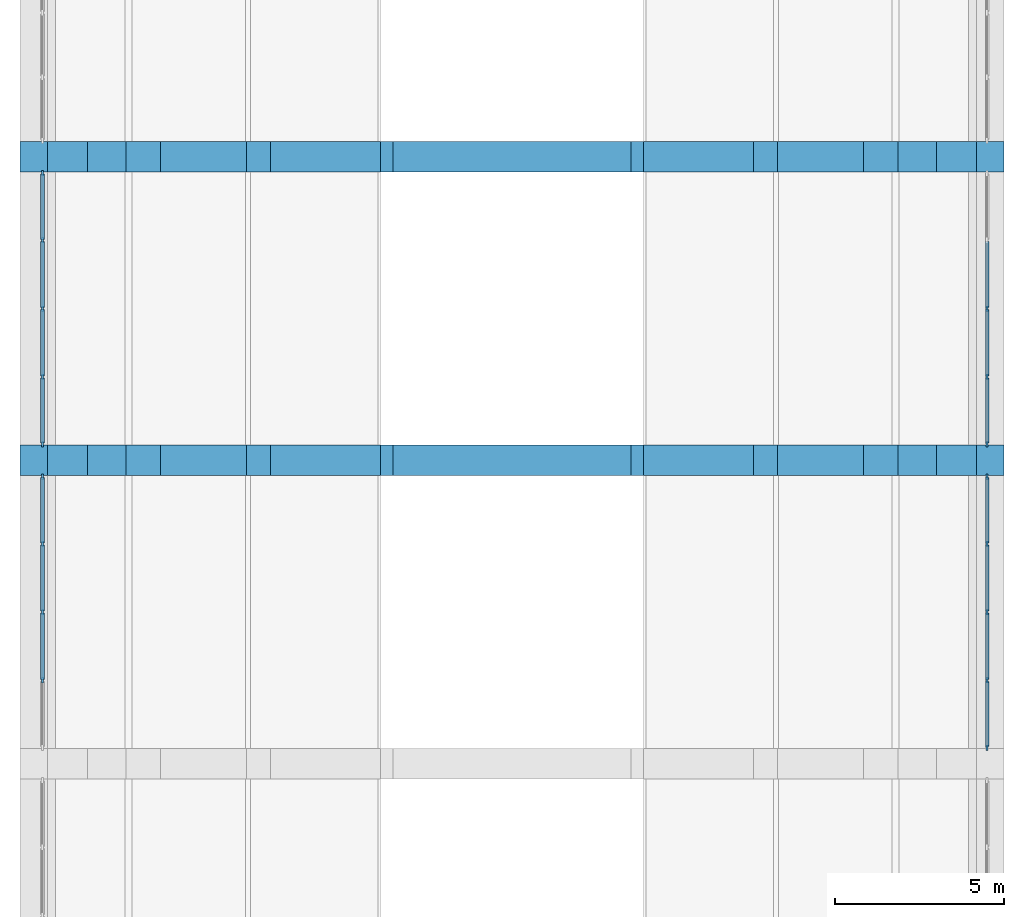
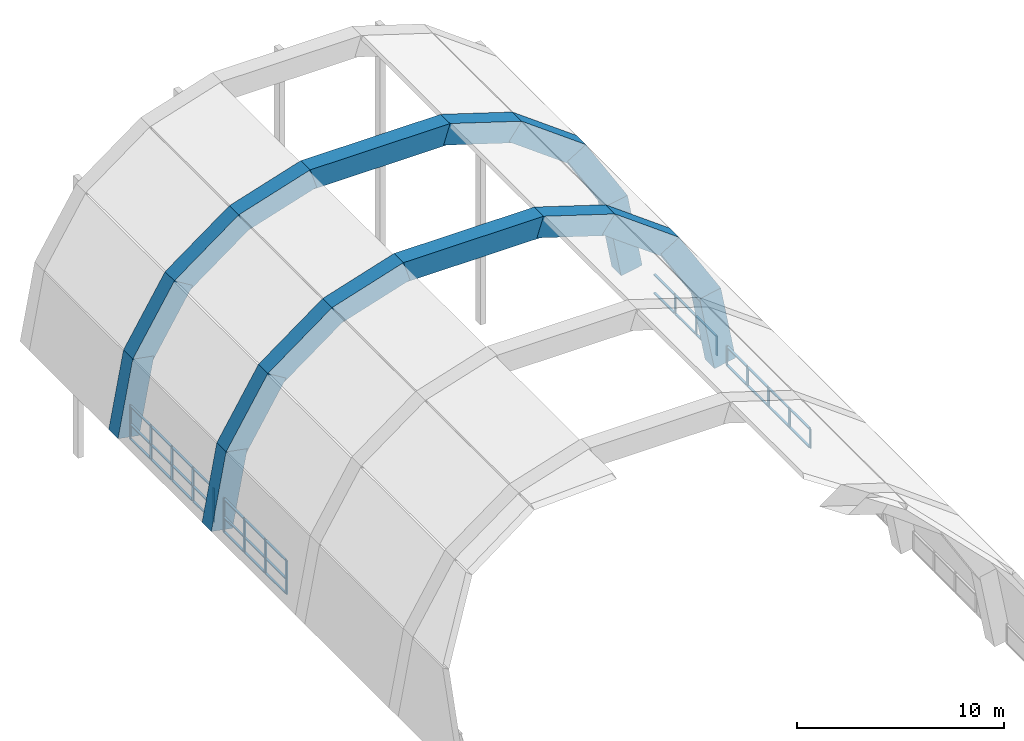
# One storey, part 4 of 8: 52 members, 18 beams, 4 elements without a shape of their own.
"""IFC4 building model written with IfcOpenShell, lengths in metres."""

from ifc_helpers import new_model, si_unit, direction, frame, origin, origin_2d, place, context, subcontext, project, spatial, rectangle, extrude, material, material_profile, profile_set, type_object, element, aggregate, save


model = new_model("IFC4")

# Units and contexts
model_context = context("Model", 3, precision=1e-05, world=origin(), true_north=direction((0.0, 1.0)))
body_context = subcontext(model_context, "Body", "Model", "MODEL_VIEW")
ifc_project = project(units=[si_unit("LENGTHUNIT", "METRE"), si_unit("AREAUNIT", "SQUARE_METRE"), si_unit("VOLUMEUNIT", "CUBIC_METRE"), si_unit("PLANEANGLEUNIT", "RADIAN"), si_unit("MASSUNIT", "GRAM", prefix="KILO")], contexts=[model_context])

# Site, building, storey
site_placement = place(None, origin())
site = spatial("IfcSite", under=ifc_project, at=site_placement, CompositionType="ELEMENT")
building_placement = place(site_placement, origin())
building = spatial("IfcBuilding", under=site, at=building_placement, Name="Elmora Arch Market Hall", CompositionType="ELEMENT")
storey_placement = place(building_placement, frame((0.0, 0.0, 18.60009765625)))
storey = spatial("IfcBuildingStorey", under=building, at=storey_placement, Name="Roof", CompositionType="ELEMENT", Elevation=18.60009765625)

# Beams
ifc_material_1 = material(Name="Concrete C40/50", Category="concrete")
ifc_material_profile_1 = material_profile(ifc_material_1, rectangle(XDim=0.89990234375, YDim=1.199951171875, at=origin_2d()), Name="Arch rib")
ifc_profile_set_1 = profile_set([ifc_material_profile_1], Name="Concrete C40/50")
beam_type = type_object("IfcBeamType", Name="Arch rib", PredefinedType="BEAM", material=ifc_profile_set_1)
beam_1_placement = place(storey_placement, frame((15.0, 81.0, 0.10986328125), z_axis=(0.18332979563, 0.0, 0.983051466625), x_axis=(0.0, 1.0, 0.0)))
element("IfcBeam", 1, at=beam_1_placement, inside=storey, type_object=beam_type, Name="Arch rib 07 segment 1", PredefinedType="BEAM", context=body_context, shape_type="SweptSolid", body=[
    extrude(rectangle(XDim=0.89990234375, YDim=1.199951171875, at=origin_2d()), origin(), (0.0, 0.0, 1.0), 4.474609375),
])
beam_2_placement = place(storey_placement, frame((15.742431640625, 81.0, 4.3056640625), z_axis=(0.52144556852, 0.0, 0.85328454754), x_axis=(0.0, 1.0, 0.0)))
element("IfcBeam", 2, at=beam_2_placement, inside=storey, type_object=beam_type, Name="Arch rib 07 segment 2", PredefinedType="BEAM", context=body_context, shape_type="SweptSolid", body=[
    extrude(rectangle(XDim=0.89990234375, YDim=1.199951171875, at=origin_2d()), origin(), (0.0, 0.0, 1.0), 4.447509765625),
])
beam_3_placement = place(storey_placement, frame((17.905029296875, 81.0, 7.929931640625), z_axis=(0.805622437168, 0.0, 0.592429311168), x_axis=(0.0, 1.0, 0.0)))
element("IfcBeam", 3, at=beam_3_placement, inside=storey, type_object=beam_type, Name="Arch rib 07 segment 3", PredefinedType="BEAM", context=body_context, shape_type="SweptSolid", body=[
    extrude(rectangle(XDim=0.89990234375, YDim=1.199951171875, at=origin_2d()), origin(), (0.0, 0.0, 1.0), 4.4375),
])
beam_4_placement = place(storey_placement, frame((21.30517578125, 81.0, 10.469970703125), z_axis=(0.953579131472, 0.0, 0.30114255764), x_axis=(0.0, 1.0, 0.0)))
element("IfcBeam", 4, at=beam_4_placement, inside=storey, type_object=beam_type, Name="Arch rib 07 segment 4", PredefinedType="BEAM", context=body_context, shape_type="SweptSolid", body=[
    extrude(rectangle(XDim=0.89990234375, YDim=1.199951171875, at=origin_2d()), origin(), (0.0, 0.0, 1.0), 4.1767578125),
])
beam_5_placement = place(storey_placement, frame((25.107421875, 81.0, 11.699951171875), z_axis=(1.0, 0.0, 0.0), x_axis=(0.0, 1.0, 0.0)))
element("IfcBeam", 5, at=beam_5_placement, inside=storey, type_object=beam_type, Name="Arch rib 07 segment 5", PredefinedType="BEAM", context=body_context, shape_type="SweptSolid", body=[
    extrude(rectangle(XDim=0.89990234375, YDim=1.199951171875, at=origin_2d()), origin(), (0.0, 0.0, 1.0), 7.78515625),
])
beam_6_placement = place(storey_placement, frame((32.7119140625, 81.0, 11.727783203125), z_axis=(0.953579131472, 0.0, -0.30114255764), x_axis=(0.0, 1.0, 0.0)))
element("IfcBeam", 6, at=beam_6_placement, inside=storey, type_object=beam_type, Name="Arch rib 07 segment 6", PredefinedType="BEAM", context=body_context, shape_type="SweptSolid", body=[
    extrude(rectangle(XDim=0.89990234375, YDim=1.199951171875, at=origin_2d()), origin(), (0.0, 0.0, 1.0), 4.1767578125),
])
beam_7_placement = place(storey_placement, frame((36.52001953125, 81.0, 10.558837890625), z_axis=(0.805622437168, 0.0, -0.592429311168), x_axis=(0.0, 1.0, 0.0)))
element("IfcBeam", 7, at=beam_7_placement, inside=storey, type_object=beam_type, Name="Arch rib 07 segment 7", PredefinedType="BEAM", context=body_context, shape_type="SweptSolid", body=[
    extrude(rectangle(XDim=0.89990234375, YDim=1.199951171875, at=origin_2d()), origin(), (0.0, 0.0, 1.0), 4.4375),
])
beam_8_placement = place(storey_placement, frame((39.9384765625, 81.0, 8.1005859375), z_axis=(0.52144556852, 0.0, -0.85328454754), x_axis=(0.0, 1.0, 0.0)))
element("IfcBeam", 8, at=beam_8_placement, inside=storey, type_object=beam_type, Name="Arch rib 07 segment 8", PredefinedType="BEAM", context=body_context, shape_type="SweptSolid", body=[
    extrude(rectangle(XDim=0.89990234375, YDim=1.199951171875, at=origin_2d()), origin(), (0.0, 0.0, 1.0), 4.447509765625),
])
for number, where, z_axis, x_axis, name in (
    (9, (42.1796875, 81.0, 4.508544921875), (0.18332979563, 0.0, -0.983051466625), (0.0, 1.0, 0.0), "Arch rib 07 segment 9"),
    (10, (15.0, 90.0, 0.10986328125), (0.18332979563, 0.0, 0.983051466625), (0.0, 1.0, 0.0), "Arch rib 08 segment 1"),
):
    element("IfcBeam", number, at=place(storey_placement, frame(where, z_axis=z_axis, x_axis=x_axis)), inside=storey, type_object=beam_type, Name=name, PredefinedType="BEAM", context=body_context, shape_type="SweptSolid", body=[
        extrude(rectangle(XDim=0.89990234375, YDim=1.199951171875, at=origin_2d()), origin(), (0.0, 0.0, 1.0), 4.474609375),
    ])
beam_9_placement = place(storey_placement, frame((15.742431640625, 90.0, 4.3056640625), z_axis=(0.52144556852, 0.0, 0.85328454754), x_axis=(0.0, 1.0, 0.0)))
element("IfcBeam", 11, at=beam_9_placement, inside=storey, type_object=beam_type, Name="Arch rib 08 segment 2", PredefinedType="BEAM", context=body_context, shape_type="SweptSolid", body=[
    extrude(rectangle(XDim=0.89990234375, YDim=1.199951171875, at=origin_2d()), origin(), (0.0, 0.0, 1.0), 4.447509765625),
])
beam_10_placement = place(storey_placement, frame((17.905029296875, 90.0, 7.929931640625), z_axis=(0.805622437168, 0.0, 0.592429311168), x_axis=(0.0, 1.0, 0.0)))
element("IfcBeam", 12, at=beam_10_placement, inside=storey, type_object=beam_type, Name="Arch rib 08 segment 3", PredefinedType="BEAM", context=body_context, shape_type="SweptSolid", body=[
    extrude(rectangle(XDim=0.89990234375, YDim=1.199951171875, at=origin_2d()), origin(), (0.0, 0.0, 1.0), 4.4375),
])
beam_11_placement = place(storey_placement, frame((21.30517578125, 90.0, 10.469970703125), z_axis=(0.953579131472, 0.0, 0.30114255764), x_axis=(0.0, 1.0, 0.0)))
element("IfcBeam", 13, at=beam_11_placement, inside=storey, type_object=beam_type, Name="Arch rib 08 segment 4", PredefinedType="BEAM", context=body_context, shape_type="SweptSolid", body=[
    extrude(rectangle(XDim=0.89990234375, YDim=1.199951171875, at=origin_2d()), origin(), (0.0, 0.0, 1.0), 4.1767578125),
])
beam_12_placement = place(storey_placement, frame((25.107421875, 90.0, 11.699951171875), z_axis=(1.0, 0.0, 0.0), x_axis=(0.0, 1.0, 0.0)))
element("IfcBeam", 14, at=beam_12_placement, inside=storey, type_object=beam_type, Name="Arch rib 08 segment 5", PredefinedType="BEAM", context=body_context, shape_type="SweptSolid", body=[
    extrude(rectangle(XDim=0.89990234375, YDim=1.199951171875, at=origin_2d()), origin(), (0.0, 0.0, 1.0), 7.78515625),
])
beam_13_placement = place(storey_placement, frame((32.7119140625, 90.0, 11.727783203125), z_axis=(0.953579131472, 0.0, -0.30114255764), x_axis=(0.0, 1.0, 0.0)))
element("IfcBeam", 15, at=beam_13_placement, inside=storey, type_object=beam_type, Name="Arch rib 08 segment 6", PredefinedType="BEAM", context=body_context, shape_type="SweptSolid", body=[
    extrude(rectangle(XDim=0.89990234375, YDim=1.199951171875, at=origin_2d()), origin(), (0.0, 0.0, 1.0), 4.1767578125),
])
beam_14_placement = place(storey_placement, frame((36.52001953125, 90.0, 10.558837890625), z_axis=(0.805622437168, 0.0, -0.592429311168), x_axis=(0.0, 1.0, 0.0)))
element("IfcBeam", 16, at=beam_14_placement, inside=storey, type_object=beam_type, Name="Arch rib 08 segment 7", PredefinedType="BEAM", context=body_context, shape_type="SweptSolid", body=[
    extrude(rectangle(XDim=0.89990234375, YDim=1.199951171875, at=origin_2d()), origin(), (0.0, 0.0, 1.0), 4.4375),
])
beam_15_placement = place(storey_placement, frame((39.9384765625, 90.0, 8.1005859375), z_axis=(0.52144556852, 0.0, -0.85328454754), x_axis=(0.0, 1.0, 0.0)))
element("IfcBeam", 17, at=beam_15_placement, inside=storey, type_object=beam_type, Name="Arch rib 08 segment 8", PredefinedType="BEAM", context=body_context, shape_type="SweptSolid", body=[
    extrude(rectangle(XDim=0.89990234375, YDim=1.199951171875, at=origin_2d()), origin(), (0.0, 0.0, 1.0), 4.447509765625),
])
beam_16_placement = place(storey_placement, frame((42.1796875, 90.0, 4.508544921875), z_axis=(0.18332979563, 0.0, -0.983051466625), x_axis=(0.0, 1.0, 0.0)))
element("IfcBeam", 18, at=beam_16_placement, inside=storey, type_object=beam_type, Name="Arch rib 08 segment 9", PredefinedType="BEAM", context=body_context, shape_type="SweptSolid", body=[
    extrude(rectangle(XDim=0.89990234375, YDim=1.199951171875, at=origin_2d()), origin(), (0.0, 0.0, 1.0), 4.474609375),
])

# Curtain wall, members
ifc_material_2 = material(Name="Aluminium", Category="aluminium")
curtain_wall_type = type_object("IfcCurtainWallType", Name="Clerestory curtain wall", PredefinedType="NOTDEFINED", material=ifc_material_2)
curtain_wall_1_placement = place(storey_placement, origin())
curtain_wall_1 = element("IfcCurtainWall", 19, at=curtain_wall_1_placement, inside=storey, type_object=curtain_wall_type, Name="Hall clerestory W 6", PredefinedType="NOTDEFINED")
ifc_material_3 = material(Name="Aluminium", Category="aluminium")
ifc_material_profile_2 = material_profile(ifc_material_3, rectangle(XDim=0.06005859375, YDim=0.159912109375, at=origin_2d()), Name="AL 60x160")
ifc_profile_set_2 = profile_set([ifc_material_profile_2], Name="Aluminium")
member_type_1 = type_object("IfcMemberType", Name="Mullion 60x160", PredefinedType="MULLION", material=ifc_profile_set_2)
member_1_placement = place(storey_placement, frame((15.080078125, 74.47509765625, 0.0), z_axis=(0.0, 0.0, 1.0), x_axis=(-1.0, 0.0, 0.0)))
member_1 = element("IfcMember", 20, at=member_1_placement, type_object=member_type_1, Name="CW4 mullion 2", PredefinedType="MULLION", context=body_context, shape_type="SweptSolid", body=[
    extrude(rectangle(XDim=0.06005859375, YDim=0.159912109375, at=origin_2d()), origin(), (0.0, 0.0, 1.0), 1.9990234375),
])
member_2_placement = place(storey_placement, frame((15.080078125, 76.5, 0.0), z_axis=(0.0, 0.0, 1.0), x_axis=(-1.0, 0.0, 0.0)))
member_2 = element("IfcMember", 21, at=member_2_placement, type_object=member_type_1, Name="CW4 mullion 3", PredefinedType="MULLION", context=body_context, shape_type="SweptSolid", body=[
    extrude(rectangle(XDim=0.06005859375, YDim=0.159912109375, at=origin_2d()), origin(), (0.0, 0.0, 1.0), 1.9990234375),
])
member_3_placement = place(storey_placement, frame((15.080078125, 78.52490234375, 0.0), z_axis=(0.0, 0.0, 1.0), x_axis=(-1.0, 0.0, 0.0)))
member_3 = element("IfcMember", 22, at=member_3_placement, type_object=member_type_1, Name="CW4 mullion 4", PredefinedType="MULLION", context=body_context, shape_type="SweptSolid", body=[
    extrude(rectangle(XDim=0.06005859375, YDim=0.159912109375, at=origin_2d()), origin(), (0.0, 0.0, 1.0), 1.9990234375),
])
member_4_placement = place(storey_placement, frame((15.080078125, 80.52001953125, 0.0), z_axis=(0.0, 0.0, 1.0), x_axis=(-1.0, 0.0, 0.0)))
member_4 = element("IfcMember", 23, at=member_4_placement, type_object=member_type_1, Name="CW4 mullion 5", PredefinedType="MULLION", context=body_context, shape_type="SweptSolid", body=[
    extrude(rectangle(XDim=0.06005859375, YDim=0.159912109375, at=origin_2d()), origin(), (0.0, 0.0, 1.0), 1.9990234375),
])

curtain_wall_2_placement = place(storey_placement, origin())
curtain_wall_2 = element("IfcCurtainWall", 24, at=curtain_wall_2_placement, inside=storey, type_object=curtain_wall_type, Name="Hall clerestory W 7", PredefinedType="NOTDEFINED")
member_5_placement = place(storey_placement, frame((15.080078125, 81.47998046875, 0.0), z_axis=(0.0, 0.0, 1.0), x_axis=(-1.0, 0.0, 0.0)))
member_5 = element("IfcMember", 25, at=member_5_placement, type_object=member_type_1, Name="CW4 mullion 1", PredefinedType="MULLION", context=body_context, shape_type="SweptSolid", body=[
    extrude(rectangle(XDim=0.06005859375, YDim=0.159912109375, at=origin_2d()), origin(), (0.0, 0.0, 1.0), 1.9990234375),
])
member_6_placement = place(storey_placement, frame((15.080078125, 83.47509765625, 0.0), z_axis=(0.0, 0.0, 1.0), x_axis=(-1.0, 0.0, 0.0)))
member_6 = element("IfcMember", 26, at=member_6_placement, type_object=member_type_1, Name="CW4 mullion 2", PredefinedType="MULLION", context=body_context, shape_type="SweptSolid", body=[
    extrude(rectangle(XDim=0.06005859375, YDim=0.159912109375, at=origin_2d()), origin(), (0.0, 0.0, 1.0), 1.9990234375),
])
member_7_placement = place(storey_placement, frame((15.080078125, 85.5, 0.0), z_axis=(0.0, 0.0, 1.0), x_axis=(-1.0, 0.0, 0.0)))
member_7 = element("IfcMember", 27, at=member_7_placement, type_object=member_type_1, Name="CW4 mullion 3", PredefinedType="MULLION", context=body_context, shape_type="SweptSolid", body=[
    extrude(rectangle(XDim=0.06005859375, YDim=0.159912109375, at=origin_2d()), origin(), (0.0, 0.0, 1.0), 1.9990234375),
])
member_8_placement = place(storey_placement, frame((15.080078125, 87.52490234375, 0.0), z_axis=(0.0, 0.0, 1.0), x_axis=(-1.0, 0.0, 0.0)))
member_8 = element("IfcMember", 28, at=member_8_placement, type_object=member_type_1, Name="CW4 mullion 4", PredefinedType="MULLION", context=body_context, shape_type="SweptSolid", body=[
    extrude(rectangle(XDim=0.06005859375, YDim=0.159912109375, at=origin_2d()), origin(), (0.0, 0.0, 1.0), 1.9990234375),
])
member_9_placement = place(storey_placement, frame((15.080078125, 89.52001953125, 0.0), z_axis=(0.0, 0.0, 1.0), x_axis=(-1.0, 0.0, 0.0)))
member_9 = element("IfcMember", 29, at=member_9_placement, type_object=member_type_1, Name="CW4 mullion 5", PredefinedType="MULLION", context=body_context, shape_type="SweptSolid", body=[
    extrude(rectangle(XDim=0.06005859375, YDim=0.159912109375, at=origin_2d()), origin(), (0.0, 0.0, 1.0), 1.9990234375),
])

curtain_wall_3_placement = place(storey_placement, origin())
curtain_wall_3 = element("IfcCurtainWall", 30, at=curtain_wall_3_placement, inside=storey, type_object=curtain_wall_type, Name="Hall clerestory E 6", PredefinedType="NOTDEFINED")
member_10_placement = place(storey_placement, frame((43.080078125, 72.47998046875, 0.0), z_axis=(0.0, 0.0, 1.0), x_axis=(-1.0, 0.0, 0.0)))
member_10 = element("IfcMember", 31, at=member_10_placement, type_object=member_type_1, Name="CW4 mullion 1", PredefinedType="MULLION", context=body_context, shape_type="SweptSolid", body=[
    extrude(rectangle(XDim=0.06005859375, YDim=0.159912109375, at=origin_2d()), origin(), (0.0, 0.0, 1.0), 1.140869140625),
])
member_11_placement = place(storey_placement, frame((43.080078125, 74.47509765625, 0.0), z_axis=(0.0, 0.0, 1.0), x_axis=(-1.0, 0.0, 0.0)))
member_11 = element("IfcMember", 32, at=member_11_placement, type_object=member_type_1, Name="CW4 mullion 2", PredefinedType="MULLION", context=body_context, shape_type="SweptSolid", body=[
    extrude(rectangle(XDim=0.06005859375, YDim=0.159912109375, at=origin_2d()), origin(), (0.0, 0.0, 1.0), 1.140869140625),
])
member_12_placement = place(storey_placement, frame((43.080078125, 76.5, 0.0), z_axis=(0.0, 0.0, 1.0), x_axis=(-1.0, 0.0, 0.0)))
member_12 = element("IfcMember", 33, at=member_12_placement, type_object=member_type_1, Name="CW4 mullion 3", PredefinedType="MULLION", context=body_context, shape_type="SweptSolid", body=[
    extrude(rectangle(XDim=0.06005859375, YDim=0.159912109375, at=origin_2d()), origin(), (0.0, 0.0, 1.0), 1.140869140625),
])
member_13_placement = place(storey_placement, frame((43.080078125, 78.52490234375, 0.0), z_axis=(0.0, 0.0, 1.0), x_axis=(-1.0, 0.0, 0.0)))
member_13 = element("IfcMember", 34, at=member_13_placement, type_object=member_type_1, Name="CW4 mullion 4", PredefinedType="MULLION", context=body_context, shape_type="SweptSolid", body=[
    extrude(rectangle(XDim=0.06005859375, YDim=0.159912109375, at=origin_2d()), origin(), (0.0, 0.0, 1.0), 1.140869140625),
])
member_14_placement = place(storey_placement, frame((43.080078125, 80.52001953125, 0.0), z_axis=(0.0, 0.0, 1.0), x_axis=(-1.0, 0.0, 0.0)))
member_14 = element("IfcMember", 35, at=member_14_placement, type_object=member_type_1, Name="CW4 mullion 5", PredefinedType="MULLION", context=body_context, shape_type="SweptSolid", body=[
    extrude(rectangle(XDim=0.06005859375, YDim=0.159912109375, at=origin_2d()), origin(), (0.0, 0.0, 1.0), 1.140869140625),
])

curtain_wall_4_placement = place(storey_placement, origin())
curtain_wall_4 = element("IfcCurtainWall", 36, at=curtain_wall_4_placement, inside=storey, type_object=curtain_wall_type, Name="Hall clerestory E 7", PredefinedType="NOTDEFINED")
member_15_placement = place(storey_placement, frame((43.080078125, 81.47998046875, 0.0), z_axis=(0.0, 0.0, 1.0), x_axis=(-1.0, 0.0, 0.0)))
member_15 = element("IfcMember", 37, at=member_15_placement, type_object=member_type_1, Name="CW4 mullion 1", PredefinedType="MULLION", context=body_context, shape_type="SweptSolid", body=[
    extrude(rectangle(XDim=0.06005859375, YDim=0.159912109375, at=origin_2d()), origin(), (0.0, 0.0, 1.0), 1.140869140625),
])
member_16_placement = place(storey_placement, frame((43.080078125, 83.47509765625, 0.0), z_axis=(0.0, 0.0, 1.0), x_axis=(-1.0, 0.0, 0.0)))
member_16 = element("IfcMember", 38, at=member_16_placement, type_object=member_type_1, Name="CW4 mullion 2", PredefinedType="MULLION", context=body_context, shape_type="SweptSolid", body=[
    extrude(rectangle(XDim=0.06005859375, YDim=0.159912109375, at=origin_2d()), origin(), (0.0, 0.0, 1.0), 1.140869140625),
])
member_17_placement = place(storey_placement, frame((43.080078125, 85.5, 0.0), z_axis=(0.0, 0.0, 1.0), x_axis=(-1.0, 0.0, 0.0)))
member_17 = element("IfcMember", 39, at=member_17_placement, type_object=member_type_1, Name="CW4 mullion 3", PredefinedType="MULLION", context=body_context, shape_type="SweptSolid", body=[
    extrude(rectangle(XDim=0.06005859375, YDim=0.159912109375, at=origin_2d()), origin(), (0.0, 0.0, 1.0), 1.140869140625),
])

# Member
ifc_material_4 = material(Name="Aluminium", Category="aluminium")
ifc_material_profile_3 = material_profile(ifc_material_4, rectangle(XDim=0.1201171875, YDim=0.06005859375, at=origin_2d()), Name="AL 120x60")
ifc_profile_set_3 = profile_set([ifc_material_profile_3], Name="Aluminium")
member_type_2 = type_object("IfcMemberType", Name="Transom 120x60", PredefinedType="USERDEFINED", material=ifc_profile_set_3)
member_18_placement = place(storey_placement, frame((15.080078125, 74.5048828125, 0.02978515625), z_axis=(0.0, 1.0, 0.0), x_axis=(-1.0, 0.0, 0.0)))
member_18 = element("IfcMember", 40, at=member_18_placement, type_object=member_type_2, Name="CW4 transom 2.1", ObjectType="TRANSOM", PredefinedType="USERDEFINED", context=body_context, shape_type="SweptSolid", body=[
    extrude(rectangle(XDim=0.1201171875, YDim=0.06005859375, at=origin_2d()), origin(), (0.0, 0.0, 1.0), 1.965087890625),
])

member_19_placement = place(storey_placement, frame((15.080078125, 74.5048828125, 0.89990234375), z_axis=(0.0, 1.0, 0.0), x_axis=(-1.0, 0.0, 0.0)))
member_19 = element("IfcMember", 41, at=member_19_placement, type_object=member_type_2, Name="CW4 transom 2.2", ObjectType="TRANSOM", PredefinedType="USERDEFINED", context=body_context, shape_type="SweptSolid", body=[
    extrude(rectangle(XDim=0.1201171875, YDim=0.06005859375, at=origin_2d()), origin(), (0.0, 0.0, 1.0), 1.965087890625),
])

member_20_placement = place(storey_placement, frame((15.080078125, 74.5048828125, 1.968994140625), z_axis=(0.0, 1.0, 0.0), x_axis=(-1.0, 0.0, 0.0)))
member_20 = element("IfcMember", 42, at=member_20_placement, type_object=member_type_2, Name="CW4 transom 2.3", ObjectType="TRANSOM", PredefinedType="USERDEFINED", context=body_context, shape_type="SweptSolid", body=[
    extrude(rectangle(XDim=0.1201171875, YDim=0.06005859375, at=origin_2d()), origin(), (0.0, 0.0, 1.0), 1.965087890625),
])

member_21_placement = place(storey_placement, frame((15.080078125, 76.530029296875, 0.02978515625), z_axis=(0.0, 1.0, 0.0), x_axis=(-1.0, 0.0, 0.0)))
member_21 = element("IfcMember", 43, at=member_21_placement, type_object=member_type_2, Name="CW4 transom 3.1", ObjectType="TRANSOM", PredefinedType="USERDEFINED", context=body_context, shape_type="SweptSolid", body=[
    extrude(rectangle(XDim=0.1201171875, YDim=0.06005859375, at=origin_2d()), origin(), (0.0, 0.0, 1.0), 1.965087890625),
])

member_22_placement = place(storey_placement, frame((15.080078125, 76.530029296875, 0.89990234375), z_axis=(0.0, 1.0, 0.0), x_axis=(-1.0, 0.0, 0.0)))
member_22 = element("IfcMember", 44, at=member_22_placement, type_object=member_type_2, Name="CW4 transom 3.2", ObjectType="TRANSOM", PredefinedType="USERDEFINED", context=body_context, shape_type="SweptSolid", body=[
    extrude(rectangle(XDim=0.1201171875, YDim=0.06005859375, at=origin_2d()), origin(), (0.0, 0.0, 1.0), 1.965087890625),
])

member_23_placement = place(storey_placement, frame((15.080078125, 76.530029296875, 1.968994140625), z_axis=(0.0, 1.0, 0.0), x_axis=(-1.0, 0.0, 0.0)))
member_23 = element("IfcMember", 45, at=member_23_placement, type_object=member_type_2, Name="CW4 transom 3.3", ObjectType="TRANSOM", PredefinedType="USERDEFINED", context=body_context, shape_type="SweptSolid", body=[
    extrude(rectangle(XDim=0.1201171875, YDim=0.06005859375, at=origin_2d()), origin(), (0.0, 0.0, 1.0), 1.965087890625),
])

member_24_placement = place(storey_placement, frame((15.080078125, 78.554931640625, 0.02978515625), z_axis=(0.0, 1.0, 0.0), x_axis=(-1.0, 0.0, 0.0)))
member_24 = element("IfcMember", 46, at=member_24_placement, type_object=member_type_2, Name="CW4 transom 4.1", ObjectType="TRANSOM", PredefinedType="USERDEFINED", context=body_context, shape_type="SweptSolid", body=[
    extrude(rectangle(XDim=0.1201171875, YDim=0.06005859375, at=origin_2d()), origin(), (0.0, 0.0, 1.0), 1.93505859375),
])

member_25_placement = place(storey_placement, frame((15.080078125, 78.554931640625, 0.89990234375), z_axis=(0.0, 1.0, 0.0), x_axis=(-1.0, 0.0, 0.0)))
member_25 = element("IfcMember", 47, at=member_25_placement, type_object=member_type_2, Name="CW4 transom 4.2", ObjectType="TRANSOM", PredefinedType="USERDEFINED", context=body_context, shape_type="SweptSolid", body=[
    extrude(rectangle(XDim=0.1201171875, YDim=0.06005859375, at=origin_2d()), origin(), (0.0, 0.0, 1.0), 1.93505859375),
])

member_26_placement = place(storey_placement, frame((15.080078125, 78.554931640625, 1.968994140625), z_axis=(0.0, 1.0, 0.0), x_axis=(-1.0, 0.0, 0.0)))
member_26 = element("IfcMember", 48, at=member_26_placement, type_object=member_type_2, Name="CW4 transom 4.3", ObjectType="TRANSOM", PredefinedType="USERDEFINED", context=body_context, shape_type="SweptSolid", body=[
    extrude(rectangle(XDim=0.1201171875, YDim=0.06005859375, at=origin_2d()), origin(), (0.0, 0.0, 1.0), 1.93505859375),
])

aggregate(curtain_wall_1, [member_1, member_2, member_3, member_4, member_18, member_19, member_20, member_21, member_22, member_23, member_24, member_25, member_26])

member_27_placement = place(storey_placement, frame((15.080078125, 81.510009765625, 0.02978515625), z_axis=(0.0, 1.0, 0.0), x_axis=(-1.0, 0.0, 0.0)))
member_27 = element("IfcMember", 49, at=member_27_placement, type_object=member_type_2, Name="CW4 transom 1.1", ObjectType="TRANSOM", PredefinedType="USERDEFINED", context=body_context, shape_type="SweptSolid", body=[
    extrude(rectangle(XDim=0.1201171875, YDim=0.06005859375, at=origin_2d()), origin(), (0.0, 0.0, 1.0), 1.93505859375),
])

member_28_placement = place(storey_placement, frame((15.080078125, 81.510009765625, 0.89990234375), z_axis=(0.0, 1.0, 0.0), x_axis=(-1.0, 0.0, 0.0)))
member_28 = element("IfcMember", 50, at=member_28_placement, type_object=member_type_2, Name="CW4 transom 1.2", ObjectType="TRANSOM", PredefinedType="USERDEFINED", context=body_context, shape_type="SweptSolid", body=[
    extrude(rectangle(XDim=0.1201171875, YDim=0.06005859375, at=origin_2d()), origin(), (0.0, 0.0, 1.0), 1.93505859375),
])

member_29_placement = place(storey_placement, frame((15.080078125, 81.510009765625, 1.968994140625), z_axis=(0.0, 1.0, 0.0), x_axis=(-1.0, 0.0, 0.0)))
member_29 = element("IfcMember", 51, at=member_29_placement, type_object=member_type_2, Name="CW4 transom 1.3", ObjectType="TRANSOM", PredefinedType="USERDEFINED", context=body_context, shape_type="SweptSolid", body=[
    extrude(rectangle(XDim=0.1201171875, YDim=0.06005859375, at=origin_2d()), origin(), (0.0, 0.0, 1.0), 1.93505859375),
])

member_30_placement = place(storey_placement, frame((15.080078125, 83.5048828125, 0.02978515625), z_axis=(0.0, 1.0, 0.0), x_axis=(-1.0, 0.0, 0.0)))
member_30 = element("IfcMember", 52, at=member_30_placement, type_object=member_type_2, Name="CW4 transom 2.1", ObjectType="TRANSOM", PredefinedType="USERDEFINED", context=body_context, shape_type="SweptSolid", body=[
    extrude(rectangle(XDim=0.1201171875, YDim=0.06005859375, at=origin_2d()), origin(), (0.0, 0.0, 1.0), 1.965087890625),
])

member_31_placement = place(storey_placement, frame((15.080078125, 83.5048828125, 0.89990234375), z_axis=(0.0, 1.0, 0.0), x_axis=(-1.0, 0.0, 0.0)))
member_31 = element("IfcMember", 53, at=member_31_placement, type_object=member_type_2, Name="CW4 transom 2.2", ObjectType="TRANSOM", PredefinedType="USERDEFINED", context=body_context, shape_type="SweptSolid", body=[
    extrude(rectangle(XDim=0.1201171875, YDim=0.06005859375, at=origin_2d()), origin(), (0.0, 0.0, 1.0), 1.965087890625),
])

member_32_placement = place(storey_placement, frame((15.080078125, 83.5048828125, 1.968994140625), z_axis=(0.0, 1.0, 0.0), x_axis=(-1.0, 0.0, 0.0)))
member_32 = element("IfcMember", 54, at=member_32_placement, type_object=member_type_2, Name="CW4 transom 2.3", ObjectType="TRANSOM", PredefinedType="USERDEFINED", context=body_context, shape_type="SweptSolid", body=[
    extrude(rectangle(XDim=0.1201171875, YDim=0.06005859375, at=origin_2d()), origin(), (0.0, 0.0, 1.0), 1.965087890625),
])

member_33_placement = place(storey_placement, frame((15.080078125, 85.530029296875, 0.02978515625), z_axis=(0.0, 1.0, 0.0), x_axis=(-1.0, 0.0, 0.0)))
member_33 = element("IfcMember", 55, at=member_33_placement, type_object=member_type_2, Name="CW4 transom 3.1", ObjectType="TRANSOM", PredefinedType="USERDEFINED", context=body_context, shape_type="SweptSolid", body=[
    extrude(rectangle(XDim=0.1201171875, YDim=0.06005859375, at=origin_2d()), origin(), (0.0, 0.0, 1.0), 1.965087890625),
])

member_34_placement = place(storey_placement, frame((15.080078125, 85.530029296875, 0.89990234375), z_axis=(0.0, 1.0, 0.0), x_axis=(-1.0, 0.0, 0.0)))
member_34 = element("IfcMember", 56, at=member_34_placement, type_object=member_type_2, Name="CW4 transom 3.2", ObjectType="TRANSOM", PredefinedType="USERDEFINED", context=body_context, shape_type="SweptSolid", body=[
    extrude(rectangle(XDim=0.1201171875, YDim=0.06005859375, at=origin_2d()), origin(), (0.0, 0.0, 1.0), 1.965087890625),
])

member_35_placement = place(storey_placement, frame((15.080078125, 85.530029296875, 1.968994140625), z_axis=(0.0, 1.0, 0.0), x_axis=(-1.0, 0.0, 0.0)))
member_35 = element("IfcMember", 57, at=member_35_placement, type_object=member_type_2, Name="CW4 transom 3.3", ObjectType="TRANSOM", PredefinedType="USERDEFINED", context=body_context, shape_type="SweptSolid", body=[
    extrude(rectangle(XDim=0.1201171875, YDim=0.06005859375, at=origin_2d()), origin(), (0.0, 0.0, 1.0), 1.965087890625),
])

member_36_placement = place(storey_placement, frame((15.080078125, 87.554931640625, 0.02978515625), z_axis=(0.0, 1.0, 0.0), x_axis=(-1.0, 0.0, 0.0)))
member_36 = element("IfcMember", 58, at=member_36_placement, type_object=member_type_2, Name="CW4 transom 4.1", ObjectType="TRANSOM", PredefinedType="USERDEFINED", context=body_context, shape_type="SweptSolid", body=[
    extrude(rectangle(XDim=0.1201171875, YDim=0.06005859375, at=origin_2d()), origin(), (0.0, 0.0, 1.0), 1.93505859375),
])

member_37_placement = place(storey_placement, frame((15.080078125, 87.554931640625, 0.89990234375), z_axis=(0.0, 1.0, 0.0), x_axis=(-1.0, 0.0, 0.0)))
member_37 = element("IfcMember", 59, at=member_37_placement, type_object=member_type_2, Name="CW4 transom 4.2", ObjectType="TRANSOM", PredefinedType="USERDEFINED", context=body_context, shape_type="SweptSolid", body=[
    extrude(rectangle(XDim=0.1201171875, YDim=0.06005859375, at=origin_2d()), origin(), (0.0, 0.0, 1.0), 1.93505859375),
])

member_38_placement = place(storey_placement, frame((15.080078125, 87.554931640625, 1.968994140625), z_axis=(0.0, 1.0, 0.0), x_axis=(-1.0, 0.0, 0.0)))
member_38 = element("IfcMember", 60, at=member_38_placement, type_object=member_type_2, Name="CW4 transom 4.3", ObjectType="TRANSOM", PredefinedType="USERDEFINED", context=body_context, shape_type="SweptSolid", body=[
    extrude(rectangle(XDim=0.1201171875, YDim=0.06005859375, at=origin_2d()), origin(), (0.0, 0.0, 1.0), 1.93505859375),
])

aggregate(curtain_wall_2, [member_5, member_6, member_7, member_8, member_9, member_27, member_28, member_29, member_30, member_31, member_32, member_33, member_34, member_35, member_36, member_37, member_38])

member_39_placement = place(storey_placement, frame((43.080078125, 72.510009765625, 0.02978515625), z_axis=(0.0, 1.0, 0.0), x_axis=(-1.0, 0.0, 0.0)))
member_39 = element("IfcMember", 61, at=member_39_placement, type_object=member_type_2, Name="CW4 transom 1.1", ObjectType="TRANSOM", PredefinedType="USERDEFINED", context=body_context, shape_type="SweptSolid", body=[
    extrude(rectangle(XDim=0.1201171875, YDim=0.06005859375, at=origin_2d()), origin(), (0.0, 0.0, 1.0), 1.93505859375),
])

member_40_placement = place(storey_placement, frame((43.080078125, 72.510009765625, 1.11083984375), z_axis=(0.0, 1.0, 0.0), x_axis=(-1.0, 0.0, 0.0)))
member_40 = element("IfcMember", 62, at=member_40_placement, type_object=member_type_2, Name="CW4 transom 1.2", ObjectType="TRANSOM", PredefinedType="USERDEFINED", context=body_context, shape_type="SweptSolid", body=[
    extrude(rectangle(XDim=0.1201171875, YDim=0.06005859375, at=origin_2d()), origin(), (0.0, 0.0, 1.0), 1.93505859375),
])

member_41_placement = place(storey_placement, frame((43.080078125, 74.5048828125, 0.02978515625), z_axis=(0.0, 1.0, 0.0), x_axis=(-1.0, 0.0, 0.0)))
member_41 = element("IfcMember", 63, at=member_41_placement, type_object=member_type_2, Name="CW4 transom 2.1", ObjectType="TRANSOM", PredefinedType="USERDEFINED", context=body_context, shape_type="SweptSolid", body=[
    extrude(rectangle(XDim=0.1201171875, YDim=0.06005859375, at=origin_2d()), origin(), (0.0, 0.0, 1.0), 1.965087890625),
])

member_42_placement = place(storey_placement, frame((43.080078125, 74.5048828125, 1.11083984375), z_axis=(0.0, 1.0, 0.0), x_axis=(-1.0, 0.0, 0.0)))
member_42 = element("IfcMember", 64, at=member_42_placement, type_object=member_type_2, Name="CW4 transom 2.2", ObjectType="TRANSOM", PredefinedType="USERDEFINED", context=body_context, shape_type="SweptSolid", body=[
    extrude(rectangle(XDim=0.1201171875, YDim=0.06005859375, at=origin_2d()), origin(), (0.0, 0.0, 1.0), 1.965087890625),
])

member_43_placement = place(storey_placement, frame((43.080078125, 76.530029296875, 0.02978515625), z_axis=(0.0, 1.0, 0.0), x_axis=(-1.0, 0.0, 0.0)))
member_43 = element("IfcMember", 65, at=member_43_placement, type_object=member_type_2, Name="CW4 transom 3.1", ObjectType="TRANSOM", PredefinedType="USERDEFINED", context=body_context, shape_type="SweptSolid", body=[
    extrude(rectangle(XDim=0.1201171875, YDim=0.06005859375, at=origin_2d()), origin(), (0.0, 0.0, 1.0), 1.965087890625),
])

member_44_placement = place(storey_placement, frame((43.080078125, 76.530029296875, 1.11083984375), z_axis=(0.0, 1.0, 0.0), x_axis=(-1.0, 0.0, 0.0)))
member_44 = element("IfcMember", 66, at=member_44_placement, type_object=member_type_2, Name="CW4 transom 3.2", ObjectType="TRANSOM", PredefinedType="USERDEFINED", context=body_context, shape_type="SweptSolid", body=[
    extrude(rectangle(XDim=0.1201171875, YDim=0.06005859375, at=origin_2d()), origin(), (0.0, 0.0, 1.0), 1.965087890625),
])

member_45_placement = place(storey_placement, frame((43.080078125, 78.554931640625, 0.02978515625), z_axis=(0.0, 1.0, 0.0), x_axis=(-1.0, 0.0, 0.0)))
member_45 = element("IfcMember", 67, at=member_45_placement, type_object=member_type_2, Name="CW4 transom 4.1", ObjectType="TRANSOM", PredefinedType="USERDEFINED", context=body_context, shape_type="SweptSolid", body=[
    extrude(rectangle(XDim=0.1201171875, YDim=0.06005859375, at=origin_2d()), origin(), (0.0, 0.0, 1.0), 1.93505859375),
])

member_46_placement = place(storey_placement, frame((43.080078125, 78.554931640625, 1.11083984375), z_axis=(0.0, 1.0, 0.0), x_axis=(-1.0, 0.0, 0.0)))
member_46 = element("IfcMember", 68, at=member_46_placement, type_object=member_type_2, Name="CW4 transom 4.2", ObjectType="TRANSOM", PredefinedType="USERDEFINED", context=body_context, shape_type="SweptSolid", body=[
    extrude(rectangle(XDim=0.1201171875, YDim=0.06005859375, at=origin_2d()), origin(), (0.0, 0.0, 1.0), 1.93505859375),
])

aggregate(curtain_wall_3, [member_10, member_11, member_12, member_13, member_14, member_39, member_40, member_41, member_42, member_43, member_44, member_45, member_46])

member_47_placement = place(storey_placement, frame((43.080078125, 81.510009765625, 0.02978515625), z_axis=(0.0, 1.0, 0.0), x_axis=(-1.0, 0.0, 0.0)))
member_47 = element("IfcMember", 69, at=member_47_placement, type_object=member_type_2, Name="CW4 transom 1.1", ObjectType="TRANSOM", PredefinedType="USERDEFINED", context=body_context, shape_type="SweptSolid", body=[
    extrude(rectangle(XDim=0.1201171875, YDim=0.06005859375, at=origin_2d()), origin(), (0.0, 0.0, 1.0), 1.93505859375),
])

member_48_placement = place(storey_placement, frame((43.080078125, 81.510009765625, 1.11083984375), z_axis=(0.0, 1.0, 0.0), x_axis=(-1.0, 0.0, 0.0)))
member_48 = element("IfcMember", 70, at=member_48_placement, type_object=member_type_2, Name="CW4 transom 1.2", ObjectType="TRANSOM", PredefinedType="USERDEFINED", context=body_context, shape_type="SweptSolid", body=[
    extrude(rectangle(XDim=0.1201171875, YDim=0.06005859375, at=origin_2d()), origin(), (0.0, 0.0, 1.0), 1.93505859375),
])

member_49_placement = place(storey_placement, frame((43.080078125, 83.5048828125, 0.02978515625), z_axis=(0.0, 1.0, 0.0), x_axis=(-1.0, 0.0, 0.0)))
member_49 = element("IfcMember", 71, at=member_49_placement, type_object=member_type_2, Name="CW4 transom 2.1", ObjectType="TRANSOM", PredefinedType="USERDEFINED", context=body_context, shape_type="SweptSolid", body=[
    extrude(rectangle(XDim=0.1201171875, YDim=0.06005859375, at=origin_2d()), origin(), (0.0, 0.0, 1.0), 1.965087890625),
])

member_50_placement = place(storey_placement, frame((43.080078125, 83.5048828125, 1.11083984375), z_axis=(0.0, 1.0, 0.0), x_axis=(-1.0, 0.0, 0.0)))
member_50 = element("IfcMember", 72, at=member_50_placement, type_object=member_type_2, Name="CW4 transom 2.2", ObjectType="TRANSOM", PredefinedType="USERDEFINED", context=body_context, shape_type="SweptSolid", body=[
    extrude(rectangle(XDim=0.1201171875, YDim=0.06005859375, at=origin_2d()), origin(), (0.0, 0.0, 1.0), 1.965087890625),
])

member_51_placement = place(storey_placement, frame((43.080078125, 85.530029296875, 0.02978515625), z_axis=(0.0, 1.0, 0.0), x_axis=(-1.0, 0.0, 0.0)))
member_51 = element("IfcMember", 73, at=member_51_placement, type_object=member_type_2, Name="CW4 transom 3.1", ObjectType="TRANSOM", PredefinedType="USERDEFINED", context=body_context, shape_type="SweptSolid", body=[
    extrude(rectangle(XDim=0.1201171875, YDim=0.06005859375, at=origin_2d()), origin(), (0.0, 0.0, 1.0), 1.965087890625),
])

member_52_placement = place(storey_placement, frame((43.080078125, 85.530029296875, 1.11083984375), z_axis=(0.0, 1.0, 0.0), x_axis=(-1.0, 0.0, 0.0)))
member_52 = element("IfcMember", 74, at=member_52_placement, type_object=member_type_2, Name="CW4 transom 3.2", ObjectType="TRANSOM", PredefinedType="USERDEFINED", context=body_context, shape_type="SweptSolid", body=[
    extrude(rectangle(XDim=0.1201171875, YDim=0.06005859375, at=origin_2d()), origin(), (0.0, 0.0, 1.0), 1.965087890625),
])

aggregate(curtain_wall_4, [member_15, member_16, member_17, member_47, member_48, member_49, member_50, member_51, member_52])

save(model, "model.ifc")
